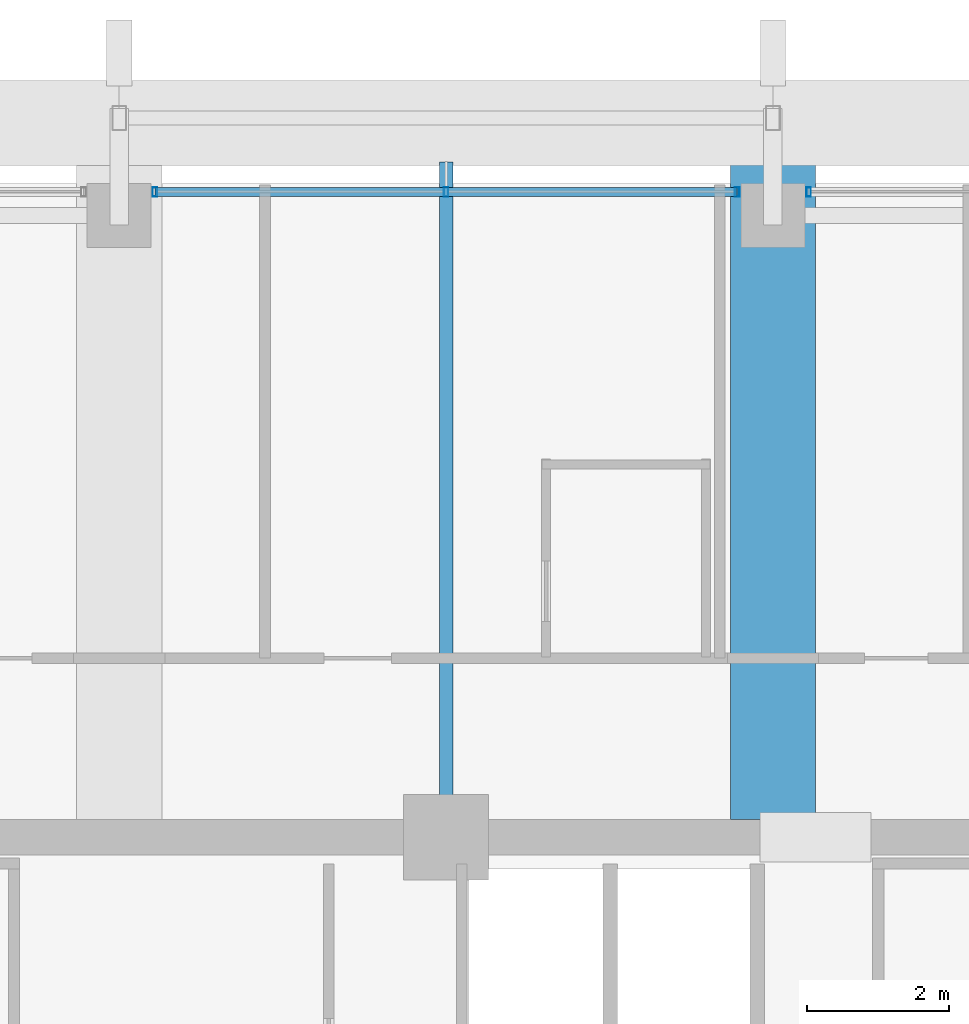
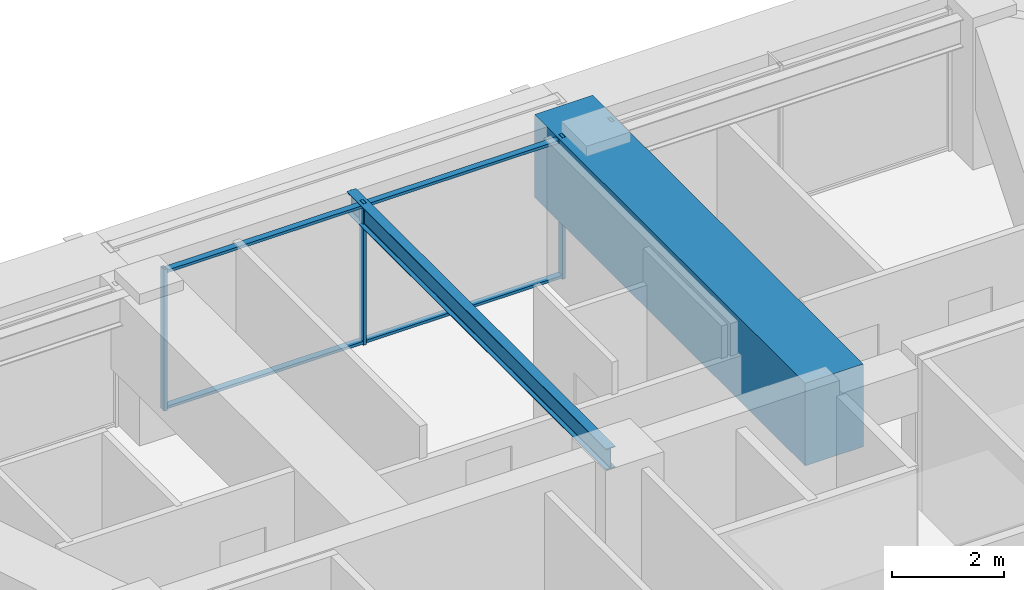
# One storey, part 24 of 40: 6 members, 2 beams, 2 elements without a shape of their own.
"""IFC4 building model written with IfcOpenShell, lengths in metres."""

from ifc_helpers import new_model, si_unit, direction, frame, origin, origin_2d, place, context, subcontext, project, spatial, rectangle, hollow_rectangle, i_section, extrude, material, material_profile, profile_set, type_object, element, aggregate, save


model = new_model("IFC4")

# Units and contexts
model_context = context("Model", 3, precision=1e-05, world=origin(), true_north=direction((0.0, 1.0)))
body_context = subcontext(model_context, "Body", "Model", "MODEL_VIEW")
ifc_project = project(units=[si_unit("LENGTHUNIT", "METRE"), si_unit("AREAUNIT", "SQUARE_METRE"), si_unit("VOLUMEUNIT", "CUBIC_METRE"), si_unit("PLANEANGLEUNIT", "RADIAN"), si_unit("MASSUNIT", "GRAM", prefix="KILO")], contexts=[model_context])

# Site, building, storey
site_placement = place(None, origin())
site = spatial("IfcSite", under=ifc_project, at=site_placement, CompositionType="ELEMENT")
building_placement = place(site_placement, origin())
building = spatial("IfcBuilding", under=site, at=building_placement, Name="Kolvaren Belvedere", CompositionType="ELEMENT")
storey_placement = place(building_placement, frame((0.0, 0.0, 170.10009765625)))
storey = spatial("IfcBuildingStorey", under=building, at=storey_placement, Name="L49", CompositionType="ELEMENT", Elevation=170.10009765625)

# Beams
ifc_material_1 = material(Name="Structural steel ASTM A992 Grade 50", Category="steel")
ifc_material_profile_1 = material_profile(ifc_material_1, i_section(OverallWidth=0.19091796875, OverallDepth=0.4599609375, WebThickness=0.010009765625, FlangeThickness=0.01611328125, FilletRadius=0.014892578125, at=origin_2d()), Name="W18X55")
ifc_profile_set_1 = profile_set([ifc_material_profile_1], Name="Structural steel ASTM A992 Grade 50")
beam_type_1 = type_object("IfcBeamType", Name="BM-JOIST-W18X55", PredefinedType="BEAM", material=ifc_profile_set_1)
beam_1_placement = place(storey_placement, frame((0.0, 10.14990234375, 2.849853515625), z_axis=(0.0, 1.0, 0.0), x_axis=(-1.0, 0.0, 0.0)))
element("IfcBeam", 1, at=beam_1_placement, inside=storey, type_object=beam_type_1, Name="L49 North Centre Floor Beam", PredefinedType="BEAM", context=body_context, shape_type="SweptSolid", body=[
    extrude(i_section(OverallWidth=0.19091796875, OverallDepth=0.4599609375, WebThickness=0.010009765625, FlangeThickness=0.01611328125, FilletRadius=0.014892578125, at=origin_2d()), origin(), (0.0, 0.0, 1.0), 9.25),
])
ifc_material_2 = material(Name="Concrete C50/60", Category="concrete")
ifc_material_profile_2 = material_profile(ifc_material_2, rectangle(XDim=1.199951171875, YDim=1.800048828125, at=origin_2d()), Name="RC 1200X1800")
ifc_profile_set_2 = profile_set([ifc_material_profile_2], Name="Concrete C50/60")
beam_type_2 = type_object("IfcBeamType", Name="BM-TG-1800", PredefinedType="BEAM", material=ifc_profile_set_2)
beam_2_placement = place(storey_placement, frame((4.60009765625, 10.14990234375, 2.179931640625), z_axis=(0.0, 1.0, 0.0), x_axis=(-1.0, 0.0, 0.0)))
element("IfcBeam", 2, at=beam_2_placement, inside=storey, type_object=beam_type_2, Name="L49 North Radial Girder P", PredefinedType="BEAM", context=body_context, shape_type="SweptSolid", body=[
    extrude(rectangle(XDim=1.199951171875, YDim=1.800048828125, at=origin_2d()), origin(), (0.0, 0.0, 1.0), 9.650146484375),
])

# Curtain wall, members
ifc_material_3 = material(Name="Anodised pale-metal aluminium AA 6063-T6", Category="aluminium")
curtain_wall_type = type_object("IfcCurtainWallType", Name="CW-Z3-WAIST", PredefinedType="NOTDEFINED", material=ifc_material_3)
curtain_wall_1_placement = place(storey_placement, origin())
curtain_wall_1 = element("IfcCurtainWall", 3, at=curtain_wall_1_placement, inside=storey, type_object=curtain_wall_type, Name="L49 Unitised Curtain Wall FCW-L49-N-B2", PredefinedType="NOTDEFINED")
ifc_material_4 = material(Name="Anodised pale-metal aluminium AA 6063-T6", Category="aluminium")
ifc_material_profile_3 = material_profile(ifc_material_4, hollow_rectangle(XDim=0.06494140625, YDim=0.1298828125, WallThickness=0.00390625, at=origin_2d()), Name="ALU-MUL-130X65")
ifc_profile_set_3 = profile_set([ifc_material_profile_3], Name="Anodised pale-metal aluminium AA 6063-T6")
member_type_1 = type_object("IfcMemberType", Name="CW-MUL-130", PredefinedType="MULLION", material=ifc_profile_set_3)
member_1_placement = place(storey_placement, frame((-4.097412109375, 18.97998046875, 0.0), z_axis=(0.0, 0.0, 1.0), x_axis=(1.0, 0.0, 0.0)))
member_1 = element("IfcMember", 4, at=member_1_placement, type_object=member_type_1, Name="FCW-L49-N-B2 Unitised Mullion 1", PredefinedType="MULLION", context=body_context, shape_type="SweptSolid", body=[
    extrude(hollow_rectangle(XDim=0.06494140625, YDim=0.1298828125, WallThickness=0.00390625, at=origin_2d()), origin(), (0.0, 0.0, 1.0), 3.079833984375),
])
member_2_placement = place(storey_placement, frame((0.0, 18.97998046875, 0.0), z_axis=(0.0, 0.0, 1.0), x_axis=(1.0, 0.0, 0.0)))
member_2 = element("IfcMember", 5, at=member_2_placement, type_object=member_type_1, Name="FCW-L49-N-B2 Unitised Mullion 2", PredefinedType="MULLION", context=body_context, shape_type="SweptSolid", body=[
    extrude(hollow_rectangle(XDim=0.06494140625, YDim=0.1298828125, WallThickness=0.00390625, at=origin_2d()), origin(), (0.0, 0.0, 1.0), 3.079833984375),
])
member_3_placement = place(storey_placement, frame((4.097412109375, 18.97998046875, 0.0), z_axis=(0.0, 0.0, 1.0), x_axis=(1.0, 0.0, 0.0)))
member_3 = element("IfcMember", 6, at=member_3_placement, type_object=member_type_1, Name="FCW-L49-N-B2 Unitised Mullion 3", PredefinedType="MULLION", context=body_context, shape_type="SweptSolid", body=[
    extrude(hollow_rectangle(XDim=0.06494140625, YDim=0.1298828125, WallThickness=0.00390625, at=origin_2d()), origin(), (0.0, 0.0, 1.0), 3.079833984375),
])

# Curtain wall, member
curtain_wall_2_placement = place(storey_placement, origin())
curtain_wall_2 = element("IfcCurtainWall", 7, at=curtain_wall_2_placement, inside=storey, type_object=curtain_wall_type, Name="L49 Unitised Curtain Wall FCW-L49-N-B3", PredefinedType="NOTDEFINED")
member_4_placement = place(storey_placement, frame((5.1025390625, 18.97998046875, 0.0), z_axis=(0.0, 0.0, 1.0), x_axis=(1.0, 0.0, 0.0)))
member_4 = element("IfcMember", 8, at=member_4_placement, type_object=member_type_1, Name="FCW-L49-N-B3 Unitised Mullion 1", PredefinedType="MULLION", context=body_context, shape_type="SweptSolid", body=[
    extrude(hollow_rectangle(XDim=0.06494140625, YDim=0.1298828125, WallThickness=0.00390625, at=origin_2d()), origin(), (0.0, 0.0, 1.0), 3.079833984375),
])
aggregate(curtain_wall_2, [member_4])

# Member
ifc_material_5 = material(Name="Anodised pale-metal aluminium AA 6063-T6", Category="aluminium")
ifc_material_profile_4 = material_profile(ifc_material_5, hollow_rectangle(XDim=0.06005859375, YDim=0.1298828125, WallThickness=0.00390625, at=origin_2d()), Name="ALU-TRN-130X60")
ifc_profile_set_4 = profile_set([ifc_material_profile_4], Name="Anodised pale-metal aluminium AA 6063-T6")
member_type_2 = type_object("IfcMemberType", Name="CW-TRN-130", PredefinedType="USERDEFINED", material=ifc_profile_set_4)
member_5_placement = place(storey_placement, frame((-4.097412109375, 18.97998046875, 0.059814453125), z_axis=(1.0, 0.0, 0.0), x_axis=(0.0, 0.0, 1.0)))
member_5 = element("IfcMember", 9, at=member_5_placement, type_object=member_type_2, Name="FCW-L49-N-B2 Sill Transom", ObjectType="TRANSOM", PredefinedType="USERDEFINED", context=body_context, shape_type="SweptSolid", body=[
    extrude(hollow_rectangle(XDim=0.06005859375, YDim=0.1298828125, WallThickness=0.00390625, at=origin_2d()), origin(), (0.0, 0.0, 1.0), 8.19482421875),
])

member_6_placement = place(storey_placement, frame((-4.097412109375, 18.97998046875, 3.02001953125), z_axis=(1.0, 0.0, 0.0), x_axis=(0.0, 0.0, 1.0)))
member_6 = element("IfcMember", 10, at=member_6_placement, type_object=member_type_2, Name="FCW-L49-N-B2 Head Transom", ObjectType="TRANSOM", PredefinedType="USERDEFINED", context=body_context, shape_type="SweptSolid", body=[
    extrude(hollow_rectangle(XDim=0.06005859375, YDim=0.1298828125, WallThickness=0.00390625, at=origin_2d()), origin(), (0.0, 0.0, 1.0), 8.19482421875),
])

aggregate(curtain_wall_1, [member_1, member_2, member_3, member_5, member_6])

save(model, "model.ifc")
